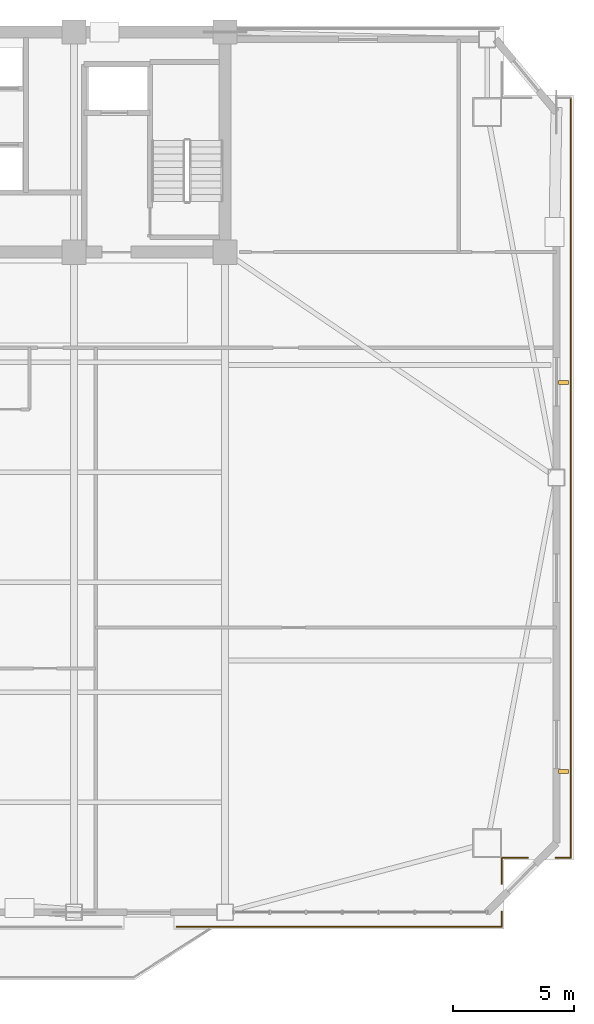
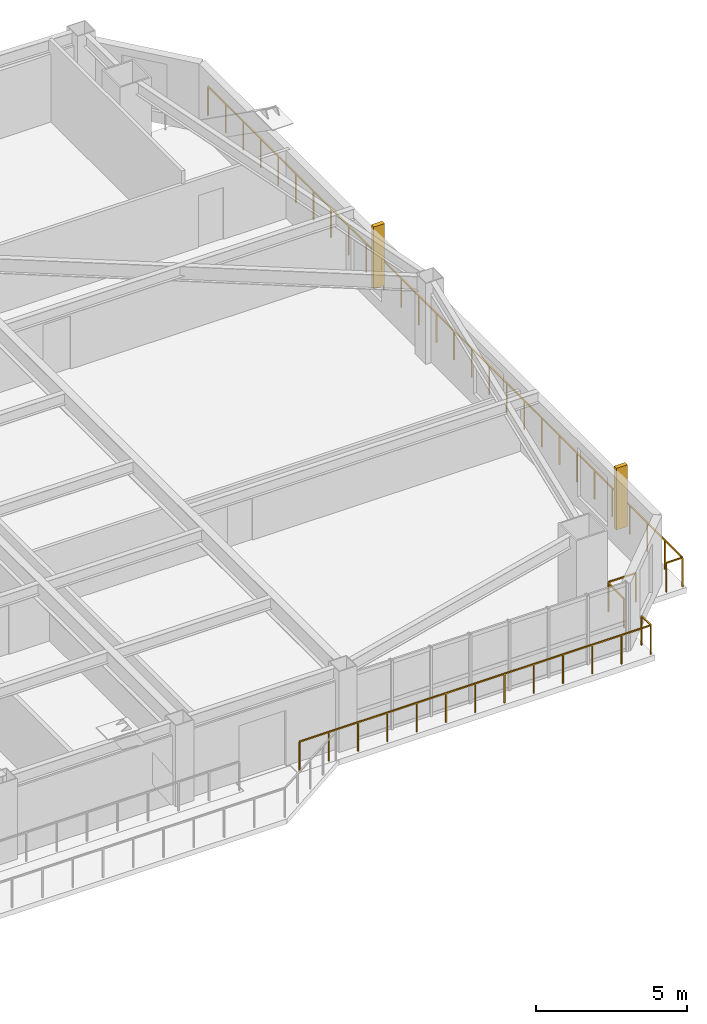
# One storey, part 13 of 15: 6 railings, 2 shading devices.
"""IFC4 building model written with IfcOpenShell, lengths in metres."""

import ifcopenshell
import ifcopenshell.guid

model = None  # the IFC model being written
_history = None  # IfcOwnerHistory: only IFC2X3 demands one
_inside = {}  # id of a spatial element -> (the spatial element, [elements in it])
_under = {}  # id of a project, library or spatial element -> (it, [spatial elements below it])
_declared = {}  # id of a project -> (the project, [libraries it declares])
_typed = {}  # id of a type object -> (the type object, [elements of that type])
_made_of = {}  # id of a material, layer set ... -> (it, [elements and type objects made of it])


def new_model(schema):
    """Start an empty IFC model of exactly this schema.

    Asked for "IFC4X3", IfcOpenShell would pick the latest addendum, in which some entities
    have other attributes; the version numbers below select the first issue.
    IFC2X3 requires an IfcOwnerHistory on every rooted entity: one is made here for all.
    """
    global model, _history
    if schema == "IFC4X3":
        model = ifcopenshell.file(schema_version=(4, 3, 0, 0))
    else:
        model = ifcopenshell.file(schema=schema)
    _inside.clear()
    _under.clear()
    _declared.clear()
    _typed.clear()
    _made_of.clear()
    _history = None
    if model.schema == "IFC2X3":
        org = make("IfcOrganization", Name="unknown")
        user = make(
            "IfcPersonAndOrganization",
            ThePerson=make("IfcPerson", FamilyName="unknown"),
            TheOrganization=org,
        )
        app = make(
            "IfcApplication",
            ApplicationDeveloper=org,
            Version="unknown",
            ApplicationFullName="unknown",
            ApplicationIdentifier="unknown",
        )
        _history = make(
            "IfcOwnerHistory",
            OwningUser=user,
            OwningApplication=app,
            ChangeAction="ADDED",
            CreationDate=0,
        )
    return model


def make(cls, **values):
    """One entity of the class cls with the attributes given. An attribute that is None is left unset."""
    return model.create_entity(
        cls, **{name: value for name, value in values.items() if value is not None}
    )


def rooted(cls, **values):
    """An entity with a GlobalId (a new one), such as an element, a storey or a relation."""
    return make(cls, GlobalId=ifcopenshell.guid.new(), OwnerHistory=_history, **values)


def si_unit(unit_type, name, prefix=None):
    """IfcSIUnit, for example si_unit("LENGTHUNIT", "METRE", prefix="MILLI")."""
    return make("IfcSIUnit", UnitType=unit_type, Prefix=prefix, Name=name)


def assignment(units):
    """IfcUnitAssignment: the units of a project."""
    return None if units is None else make("IfcUnitAssignment", Units=units)


def point(xyz):
    """IfcCartesianPoint."""
    return None if xyz is None else make("IfcCartesianPoint", Coordinates=xyz)


def direction(xyz):
    """IfcDirection."""
    return None if xyz is None else make("IfcDirection", DirectionRatios=xyz)


def frame(location, z_axis=None, x_axis=None):
    """IfcAxis2Placement3D, a coordinate frame: its origin and axes. An axis left out is left unset."""
    return make(
        "IfcAxis2Placement3D",
        Location=point(location),
        Axis=direction(z_axis),
        RefDirection=direction(x_axis),
    )


def frame_2d(location, x_axis=None):
    """IfcAxis2Placement2D, a coordinate frame in the plane: its origin and x axis."""
    return make(
        "IfcAxis2Placement2D", Location=point(location), RefDirection=direction(x_axis)
    )


def origin():
    """The frame at (0, 0, 0) with its axes left unset."""
    return frame((0.0, 0.0, 0.0))


def origin_2d():
    """The frame at (0, 0) in the plane with its x axis left unset."""
    return frame_2d((0.0, 0.0))


def place(relative_to, where):
    """IfcLocalPlacement: puts the frame where relative to a parent placement (None: the world)."""
    return make(
        "IfcLocalPlacement", PlacementRelTo=relative_to, RelativePlacement=where
    )


def context(
    kind, dimensions, precision=None, world=None, true_north=None, identifier=None
):
    """IfcGeometricRepresentationContext, for example the 3D "Model" context."""
    return make(
        "IfcGeometricRepresentationContext",
        ContextIdentifier=identifier,
        ContextType=kind,
        CoordinateSpaceDimension=dimensions,
        Precision=precision,
        WorldCoordinateSystem=world,
        TrueNorth=true_north,
    )


def subcontext(parent, identifier, kind, view, scale=None):
    """IfcGeometricRepresentationSubContext, for example "Body" below "Model"."""
    return make(
        "IfcGeometricRepresentationSubContext",
        ContextIdentifier=identifier,
        ContextType=kind,
        ParentContext=parent,
        TargetScale=scale,
        TargetView=view,
    )


def project(units=None, contexts=None):
    """IfcProject with its units and contexts."""
    return rooted(
        "IfcProject",
        Name="project",
        RepresentationContexts=contexts,
        UnitsInContext=assignment(units),
    )


def spatial(cls, under=None, at=None, **own):
    """A site, building, storey or space (cls), placed at a placement, below another one or the project."""
    s = rooted(cls, ObjectPlacement=at, **own)
    if under is not None:
        _under.setdefault(under.id(), (under, []))[1].append(s)
    return s


def profile(cls, at=None, kind="AREA", **sizes):
    """A parametric profile (cls). Its sizes go by their IFC names, for example OverallWidth=200.0."""
    return make(cls, ProfileType=kind, Position=at, **sizes)


def rectangle(**sizes):
    """IfcRectangleProfileDef."""
    return profile("IfcRectangleProfileDef", **sizes)


def extrude(swept, where, along, depth):
    """IfcExtrudedAreaSolid: the profile swept, set in the frame where, extruded along a direction by depth."""
    return make(
        "IfcExtrudedAreaSolid",
        SweptArea=swept,
        Position=where,
        ExtrudedDirection=direction(along),
        Depth=depth,
    )


def shape(context_of_items, identifier, shape_type, items):
    """IfcShapeRepresentation: the items that make up one representation, for example the "Body"."""
    return make(
        "IfcShapeRepresentation",
        ContextOfItems=context_of_items,
        RepresentationIdentifier=identifier,
        RepresentationType=shape_type,
        Items=items,
    )


def source(mapping_origin, context_of_items, identifier, shape_type, items):
    """IfcRepresentationMap: a shape defined once, which mapped items show again and again."""
    return make(
        "IfcRepresentationMap",
        MappingOrigin=mapping_origin,
        MappedRepresentation=shape(context_of_items, identifier, shape_type, items),
    )


def transform(
    local_origin,
    x_axis=None,
    y_axis=None,
    z_axis=None,
    scale=None,
    scale2=None,
    scale3=None,
    uniform=True,
):
    """IfcCartesianTransformationOperator3D, or its non-uniform kind. x_axis, y_axis, z_axis: its Axis1, 2, 3."""
    if uniform:
        return make(
            "IfcCartesianTransformationOperator3D",
            Axis1=direction(x_axis),
            Axis2=direction(y_axis),
            LocalOrigin=point(local_origin),
            Scale=scale,
            Axis3=direction(z_axis),
        )
    return make(
        "IfcCartesianTransformationOperator3DnonUniform",
        Axis1=direction(x_axis),
        Axis2=direction(y_axis),
        LocalOrigin=point(local_origin),
        Scale=scale,
        Axis3=direction(z_axis),
        Scale2=scale2,
        Scale3=scale3,
    )


def mapped(mapping_source, mapping_target):
    """IfcMappedItem: shows the shape of a source again, moved by a transform."""
    return make(
        "IfcMappedItem", MappingSource=mapping_source, MappingTarget=mapping_target
    )


def material(Name=None, Category=None):
    """IfcMaterial."""
    return make("IfcMaterial", Name=Name, Category=Category)


def made_of(thing, what):
    """Note that an element or type object is made of a material, layer set ...; save() writes the relation."""
    if what is not None:
        _made_of.setdefault(what.id(), (what, []))[1].append(thing)
    return thing


def type_object(cls, material=None, **own):
    """A type object (cls), such as IfcWallType, which elements share."""
    return made_of(rooted(cls, **own), material)


def element(
    cls,
    number,
    at=None,
    inside=None,
    cuts=None,
    type_object=None,
    material=None,
    context=None,
    identifier="Body",
    shape_type=None,
    held_by="IfcProductDefinitionShape",
    body=None,
    shapes=None,
    **own,
):
    """One element of the class cls, such as IfcWall. Its Tag is "e" and its number.

    at: its placement. inside: the storey or other place that contains it. cuts: it is an
    opening in that element (IfcRelVoidsElement). A single representation is given by context,
    identifier, shape_type and body (its items); several are given by shapes. held_by: the class
    of the entity that holds the representations. save() writes the other relations.
    """
    e = rooted(cls, Tag="e%d" % number, ObjectPlacement=at, **own)
    if body is not None:
        shapes = [shape(context, identifier, shape_type, body)]
    if shapes is not None:
        e.Representation = make(held_by, Representations=shapes)
    if inside is not None:
        _inside.setdefault(inside.id(), (inside, []))[1].append(e)
    if cuts is not None:
        rooted(
            "IfcRelVoidsElement", RelatingBuildingElement=cuts, RelatedOpeningElement=e
        )
    if type_object is not None:
        _typed.setdefault(type_object.id(), (type_object, []))[1].append(e)
    return made_of(e, material)


def aggregate(whole, parts):
    """IfcRelAggregates: a whole, such as a stair, and the parts it consists of."""
    return rooted("IfcRelAggregates", RelatingObject=whole, RelatedObjects=parts)


def save(model, path):
    """Write the relations noted so far, then the file.

    IfcRelAggregates (storeys below a building ...), IfcRelContainedInSpatialStructure (elements
    in a storey), IfcRelDefinesByType, IfcRelAssociatesMaterial and IfcRelDeclares: one each for
    every whole, place, type object, material and project.
    """
    for whole, parts in _under.values():
        aggregate(whole, parts)
    for where, things in _inside.values():
        rooted(
            "IfcRelContainedInSpatialStructure",
            RelatedElements=things,
            RelatingStructure=where,
        )
    for kind, things in _typed.values():
        rooted("IfcRelDefinesByType", RelatedObjects=things, RelatingType=kind)
    for what, things in _made_of.values():
        rooted("IfcRelAssociatesMaterial", RelatedObjects=things, RelatingMaterial=what)
    for by, libraries in _declared.values():
        rooted("IfcRelDeclares", RelatingContext=by, RelatedDefinitions=libraries)
    model.write(path)


model = new_model("IFC4")

# Units and contexts
model_context = context("Model", 3, precision=1e-05, world=origin(), true_north=direction((0.0, 1.0)))
body_context = subcontext(model_context, "Body", "Model", "MODEL_VIEW")
ifc_project = project(units=[si_unit("LENGTHUNIT", "METRE"), si_unit("AREAUNIT", "SQUARE_METRE"), si_unit("VOLUMEUNIT", "CUBIC_METRE"), si_unit("PLANEANGLEUNIT", "RADIAN"), si_unit("MASSUNIT", "GRAM", prefix="KILO")], contexts=[model_context])

# Site, building, storey
site_placement = place(None, origin())
site = spatial("IfcSite", under=ifc_project, at=site_placement, CompositionType="ELEMENT")
building_placement = place(site_placement, origin())
building = spatial("IfcBuilding", under=site, at=building_placement, Name="Giltprow Tower", CompositionType="ELEMENT")
storey_placement = place(building_placement, frame((0.0, 0.0, 180.699951171875)))
storey = spatial("IfcBuildingStorey", under=building, at=storey_placement, Name="L45", CompositionType="ELEMENT", Elevation=180.699951171875)

# Railings
ifc_material = material(Name="Anodized bronze", Category="metal")
railing_type = type_object("IfcRailingType", Name="RAIL-BALC-GUARD-1200", PredefinedType="BALUSTRADE", material=ifc_material)
railing_1_placement = place(storey_placement, frame((64.846923828125, 43.839111328125, 0.0)))
element("IfcRailing", 1, at=railing_1_placement, inside=storey, type_object=railing_type, Name="L45 Corner Apron Edge Balustrade 14", PredefinedType="BALUSTRADE", context=body_context, shape_type="SweptSolid", body=[
    extrude(rectangle(XDim=0.048095703125, YDim=0.048095703125, at=origin_2d()), frame((0.0, 0.0, 1.17578125), z_axis=(0.0, -1.0, 0.0), x_axis=(1.0, 0.0, 0.0)), (0.0, 0.0, 1.0), 31.424072265625),
    extrude(rectangle(XDim=0.0419921875, YDim=0.0419921875, at=origin_2d()), origin(), (0.0, 0.0, 1.0), 1.15185546875),
    extrude(rectangle(XDim=0.0419921875, YDim=0.0419921875, at=origin_2d()), frame((0.0, -1.163818359375, 0.0)), (0.0, 0.0, 1.0), 1.15185546875),
    extrude(rectangle(XDim=0.0419921875, YDim=0.0419921875, at=origin_2d()), frame((0.0, -2.32763671875, 0.0)), (0.0, 0.0, 1.0), 1.15185546875),
    extrude(rectangle(XDim=0.0419921875, YDim=0.0419921875, at=origin_2d()), frame((0.0, -3.491455078125, 0.0)), (0.0, 0.0, 1.0), 1.15185546875),
    extrude(rectangle(XDim=0.0419921875, YDim=0.0419921875, at=origin_2d()), frame((0.0, -4.655517578125, 0.0)), (0.0, 0.0, 1.0), 1.15185546875),
    extrude(rectangle(XDim=0.0419921875, YDim=0.0419921875, at=origin_2d()), frame((0.0, -5.8193359375, 0.0)), (0.0, 0.0, 1.0), 1.15185546875),
    extrude(rectangle(XDim=0.0419921875, YDim=0.0419921875, at=origin_2d()), frame((0.0, -6.983154296875, 0.0)), (0.0, 0.0, 1.0), 1.15185546875),
    extrude(rectangle(XDim=0.0419921875, YDim=0.0419921875, at=origin_2d()), frame((0.0, -8.14697265625, 0.0)), (0.0, 0.0, 1.0), 1.15185546875),
    extrude(rectangle(XDim=0.0419921875, YDim=0.0419921875, at=origin_2d()), frame((0.0, -9.310791015625, 0.0)), (0.0, 0.0, 1.0), 1.15185546875),
    extrude(rectangle(XDim=0.0419921875, YDim=0.0419921875, at=origin_2d()), frame((0.0, -10.474609375, 0.0)), (0.0, 0.0, 1.0), 1.15185546875),
    extrude(rectangle(XDim=0.0419921875, YDim=0.0419921875, at=origin_2d()), frame((0.0, -11.638427734375, 0.0)), (0.0, 0.0, 1.0), 1.15185546875),
    extrude(rectangle(XDim=0.0419921875, YDim=0.0419921875, at=origin_2d()), frame((0.0, -12.802490234375, 0.0)), (0.0, 0.0, 1.0), 1.15185546875),
    extrude(rectangle(XDim=0.0419921875, YDim=0.0419921875, at=origin_2d()), frame((0.0, -13.96630859375, 0.0)), (0.0, 0.0, 1.0), 1.15185546875),
    extrude(rectangle(XDim=0.0419921875, YDim=0.0419921875, at=origin_2d()), frame((0.0, -15.130126953125, 0.0)), (0.0, 0.0, 1.0), 1.15185546875),
    extrude(rectangle(XDim=0.0419921875, YDim=0.0419921875, at=origin_2d()), frame((0.0, -16.2939453125, 0.0)), (0.0, 0.0, 1.0), 1.15185546875),
    extrude(rectangle(XDim=0.0419921875, YDim=0.0419921875, at=origin_2d()), frame((0.0, -17.457763671875, 0.0)), (0.0, 0.0, 1.0), 1.15185546875),
    extrude(rectangle(XDim=0.0419921875, YDim=0.0419921875, at=origin_2d()), frame((0.0, -18.62158203125, 0.0)), (0.0, 0.0, 1.0), 1.15185546875),
    extrude(rectangle(XDim=0.0419921875, YDim=0.0419921875, at=origin_2d()), frame((0.0, -19.78564453125, 0.0)), (0.0, 0.0, 1.0), 1.15185546875),
    extrude(rectangle(XDim=0.0419921875, YDim=0.0419921875, at=origin_2d()), frame((0.0, -20.949462890625, 0.0)), (0.0, 0.0, 1.0), 1.15185546875),
    extrude(rectangle(XDim=0.0419921875, YDim=0.0419921875, at=origin_2d()), frame((0.0, -22.11328125, 0.0)), (0.0, 0.0, 1.0), 1.15185546875),
    extrude(rectangle(XDim=0.0419921875, YDim=0.0419921875, at=origin_2d()), frame((0.0, -23.277099609375, 0.0)), (0.0, 0.0, 1.0), 1.15185546875),
    extrude(rectangle(XDim=0.0419921875, YDim=0.0419921875, at=origin_2d()), frame((0.0, -24.44091796875, 0.0)), (0.0, 0.0, 1.0), 1.15185546875),
    extrude(rectangle(XDim=0.0419921875, YDim=0.0419921875, at=origin_2d()), frame((0.0, -25.604736328125, 0.0)), (0.0, 0.0, 1.0), 1.15185546875),
    extrude(rectangle(XDim=0.0419921875, YDim=0.0419921875, at=origin_2d()), frame((0.0, -26.7685546875, 0.0)), (0.0, 0.0, 1.0), 1.15185546875),
    extrude(rectangle(XDim=0.0419921875, YDim=0.0419921875, at=origin_2d()), frame((0.0, -27.9326171875, 0.0)), (0.0, 0.0, 1.0), 1.15185546875),
    extrude(rectangle(XDim=0.0419921875, YDim=0.0419921875, at=origin_2d()), frame((0.0, -29.096435546875, 0.0)), (0.0, 0.0, 1.0), 1.15185546875),
    extrude(rectangle(XDim=0.0419921875, YDim=0.0419921875, at=origin_2d()), frame((0.0, -30.26025390625, 0.0)), (0.0, 0.0, 1.0), 1.15185546875),
    extrude(rectangle(XDim=0.0419921875, YDim=0.0419921875, at=origin_2d()), frame((0.0, -31.424072265625, 0.0)), (0.0, 0.0, 1.0), 1.15185546875),
])
railing_2_placement = place(storey_placement, frame((64.846923828125, 12.4150390625, 0.0)))
element("IfcRailing", 2, at=railing_2_placement, inside=storey, type_object=railing_type, Name="L45 Corner Apron Edge Balustrade 15", PredefinedType="BALUSTRADE", context=body_context, shape_type="SweptSolid", body=[
    extrude(rectangle(XDim=0.048095703125, YDim=0.048095703125, at=origin_2d()), frame((0.0, 0.0, 1.17578125), z_axis=(-1.0, 0.0, 0.0), x_axis=(0.0, -1.0, 0.0)), (0.0, 0.0, 1.0), 0.619873046875),
    extrude(rectangle(XDim=0.0419921875, YDim=0.0419921875, at=origin_2d()), origin(), (0.0, 0.0, 1.0), 1.15185546875),
    extrude(rectangle(XDim=0.0419921875, YDim=0.0419921875, at=origin_2d()), frame((-0.619873046875, 0.0, 0.0)), (0.0, 0.0, 1.0), 1.15185546875),
])
railing_3_placement = place(storey_placement, frame((63.06689453125, 12.4150390625, 0.0)))
element("IfcRailing", 3, at=railing_3_placement, inside=storey, type_object=railing_type, Name="L45 Corner Apron Edge Balustrade 16", PredefinedType="BALUSTRADE", context=body_context, shape_type="SweptSolid", body=[
    extrude(rectangle(XDim=0.048095703125, YDim=0.048095703125, at=origin_2d()), frame((0.0, 0.0, 1.17578125), z_axis=(-1.0, 0.0, 0.0), x_axis=(0.0, -1.0, 0.0)), (0.0, 0.0, 1.0), 1.0458984375),
    extrude(rectangle(XDim=0.0419921875, YDim=0.0419921875, at=origin_2d()), origin(), (0.0, 0.0, 1.0), 1.15185546875),
    extrude(rectangle(XDim=0.0419921875, YDim=0.0419921875, at=origin_2d()), frame((-1.0458984375, 0.0, 0.0)), (0.0, 0.0, 1.0), 1.15185546875),
])
railing_4_placement = place(storey_placement, frame((61.986083984375, 12.3798828125, 0.0)))
element("IfcRailing", 4, at=railing_4_placement, inside=storey, type_object=railing_type, Name="L45 Corner Apron Edge Balustrade 17", PredefinedType="BALUSTRADE", context=body_context, shape_type="SweptSolid", body=[
    extrude(rectangle(XDim=0.048095703125, YDim=0.048095703125, at=origin_2d()), frame((0.0, 0.0, 1.17578125), z_axis=(0.0, -1.0, 0.0), x_axis=(1.0, 0.0, 0.0)), (0.0, 0.0, 1.0), 1.0458984375),
    extrude(rectangle(XDim=0.0419921875, YDim=0.0419921875, at=origin_2d()), origin(), (0.0, 0.0, 1.0), 1.15185546875),
    extrude(rectangle(XDim=0.0419921875, YDim=0.0419921875, at=origin_2d()), frame((0.0, -1.0458984375, 0.0)), (0.0, 0.0, 1.0), 1.15185546875),
])
railing_5_placement = place(storey_placement, frame((61.986083984375, 10.174072265625, 0.0)))
element("IfcRailing", 5, at=railing_5_placement, inside=storey, type_object=railing_type, Name="L45 Corner Apron Edge Balustrade 18", PredefinedType="BALUSTRADE", context=body_context, shape_type="SweptSolid", body=[
    extrude(rectangle(XDim=0.048095703125, YDim=0.048095703125, at=origin_2d()), frame((0.0, 0.0, 1.17578125), z_axis=(0.0, -1.0, 0.0), x_axis=(1.0, 0.0, 0.0)), (0.0, 0.0, 1.0), 0.6201171875),
    extrude(rectangle(XDim=0.0419921875, YDim=0.0419921875, at=origin_2d()), origin(), (0.0, 0.0, 1.0), 1.15185546875),
    extrude(rectangle(XDim=0.0419921875, YDim=0.0419921875, at=origin_2d()), frame((0.0, -0.6201171875, 0.0)), (0.0, 0.0, 1.0), 1.15185546875),
])
railing_6_placement = place(storey_placement, frame((61.986083984375, 9.553955078125, 0.0)))
element("IfcRailing", 6, at=railing_6_placement, inside=storey, type_object=railing_type, Name="L45 Corner Apron Edge Balustrade 19", PredefinedType="BALUSTRADE", context=body_context, shape_type="SweptSolid", body=[
    extrude(rectangle(XDim=0.048095703125, YDim=0.048095703125, at=origin_2d()), frame((0.0, 0.0, 1.17578125), z_axis=(-1.0, 0.0, 0.0), x_axis=(0.0, -1.0, 0.0)), (0.0, 0.0, 1.0), 13.43603515625),
    extrude(rectangle(XDim=0.0419921875, YDim=0.0419921875, at=origin_2d()), origin(), (0.0, 0.0, 1.0), 1.15185546875),
    extrude(rectangle(XDim=0.0419921875, YDim=0.0419921875, at=origin_2d()), frame((-1.11962890625, 0.0, 0.0)), (0.0, 0.0, 1.0), 1.15185546875),
    extrude(rectangle(XDim=0.0419921875, YDim=0.0419921875, at=origin_2d()), frame((-2.2392578125, 0.0, 0.0)), (0.0, 0.0, 1.0), 1.15185546875),
    extrude(rectangle(XDim=0.0419921875, YDim=0.0419921875, at=origin_2d()), frame((-3.35888671875, 0.0, 0.0)), (0.0, 0.0, 1.0), 1.15185546875),
    extrude(rectangle(XDim=0.0419921875, YDim=0.0419921875, at=origin_2d()), frame((-4.478759765625, 0.0, 0.0)), (0.0, 0.0, 1.0), 1.15185546875),
    extrude(rectangle(XDim=0.0419921875, YDim=0.0419921875, at=origin_2d()), frame((-5.598388671875, 0.0, 0.0)), (0.0, 0.0, 1.0), 1.15185546875),
    extrude(rectangle(XDim=0.0419921875, YDim=0.0419921875, at=origin_2d()), frame((-6.718017578125, 0.0, 0.0)), (0.0, 0.0, 1.0), 1.15185546875),
    extrude(rectangle(XDim=0.0419921875, YDim=0.0419921875, at=origin_2d()), frame((-7.837646484375, 0.0, 0.0)), (0.0, 0.0, 1.0), 1.15185546875),
    extrude(rectangle(XDim=0.0419921875, YDim=0.0419921875, at=origin_2d()), frame((-8.957275390625, 0.0, 0.0)), (0.0, 0.0, 1.0), 1.15185546875),
    extrude(rectangle(XDim=0.0419921875, YDim=0.0419921875, at=origin_2d()), frame((-10.0771484375, 0.0, 0.0)), (0.0, 0.0, 1.0), 1.15185546875),
    extrude(rectangle(XDim=0.0419921875, YDim=0.0419921875, at=origin_2d()), frame((-11.19677734375, 0.0, 0.0)), (0.0, 0.0, 1.0), 1.15185546875),
    extrude(rectangle(XDim=0.0419921875, YDim=0.0419921875, at=origin_2d()), frame((-12.31640625, 0.0, 0.0)), (0.0, 0.0, 1.0), 1.15185546875),
    extrude(rectangle(XDim=0.0419921875, YDim=0.0419921875, at=origin_2d()), frame((-13.43603515625, 0.0, 0.0)), (0.0, 0.0, 1.0), 1.15185546875),
])

# Shading devices
shading_device_type = type_object("IfcShadingDeviceType", Name="SHD-FIN-420", PredefinedType="USERDEFINED", material=ifc_material)
shared_shape = source(origin(), body_context, "Body", "SweptSolid", [
    extrude(rectangle(XDim=0.419921875, YDim=0.159912109375, at=origin_2d()), origin(), (0.0, 0.0, 1.0), 2.5),
])
for number, where, z_axis, x_axis, name in (
    (7, (64.547119140625, 15.972900390625, 0.35009765625), (0.0, 0.0, 1.0), (1.0, 0.0, 0.0), "L45 E Bronze Vertical Fin 1-1"),
    (8, (64.547119140625, 32.06298828125, 0.35009765625), (0.0, 0.0, 1.0), (1.0, 0.0, 0.0), "L45 E Bronze Vertical Fin 2-1"),
):
    element("IfcShadingDevice", number, at=place(storey_placement, frame(where, z_axis=z_axis, x_axis=x_axis)), inside=storey, type_object=shading_device_type, Name=name, ObjectType="FIN", PredefinedType="USERDEFINED", context=body_context, shape_type="MappedRepresentation", body=[
        mapped(shared_shape, transform((0.0, 0.0, 0.0), x_axis=(1.0, 0.0, 0.0), y_axis=(0.0, 1.0, 0.0), z_axis=(0.0, 0.0, 1.0), scale=1.0)),
    ])

save(model, "model.ifc")
